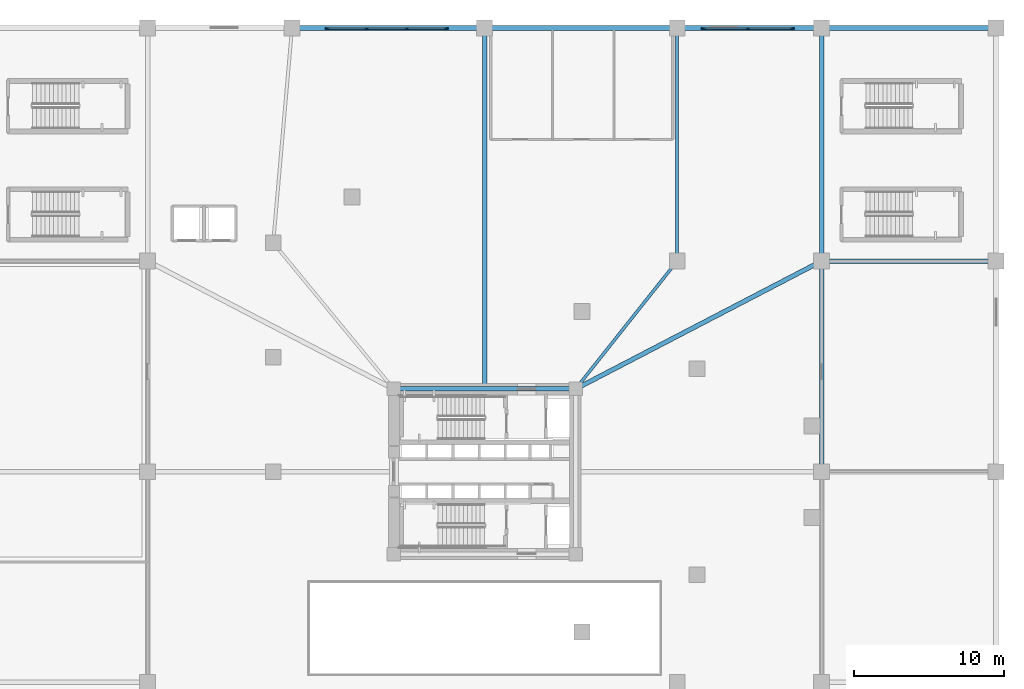
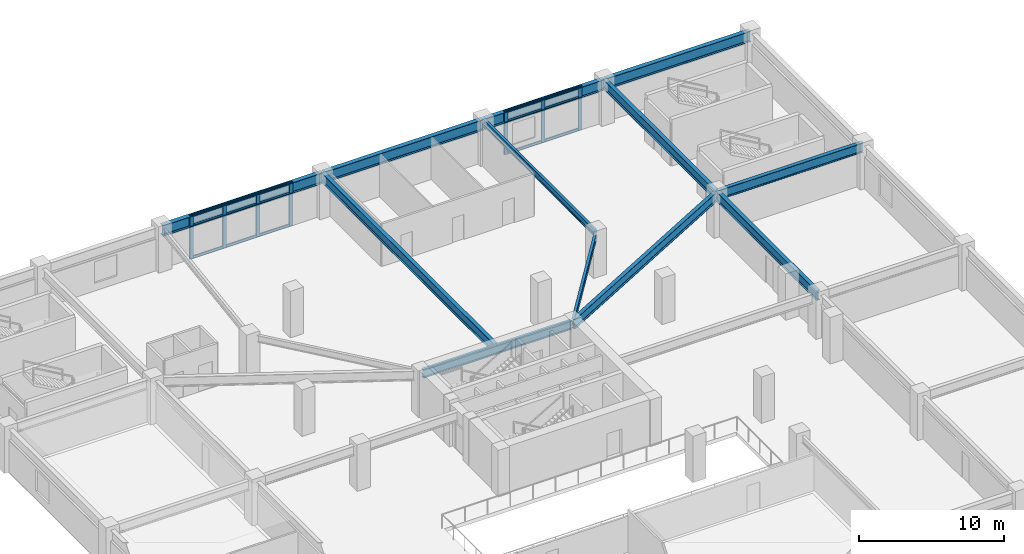
# One storey, part 2 of 16: 22 members, 12 beams, 2 elements without a shape of their own.
"""IFC4 building model written with IfcOpenShell, lengths in metres."""

from ifc_helpers import new_model, si_unit, direction, frame, origin, origin_2d, place, context, subcontext, project, spatial, rectangle, i_section, extrude, source, transform, mapped, material, layer, layer_set, material_profile, profile_set, type_object, element, aggregate, save


model = new_model("IFC4")

# Units and contexts
model_context = context("Model", 3, precision=1e-05, world=origin(), true_north=direction((0.0, 1.0)))
body_context = subcontext(model_context, "Body", "Model", "MODEL_VIEW")
ifc_project = project(units=[si_unit("LENGTHUNIT", "METRE"), si_unit("AREAUNIT", "SQUARE_METRE"), si_unit("VOLUMEUNIT", "CUBIC_METRE"), si_unit("PLANEANGLEUNIT", "RADIAN"), si_unit("MASSUNIT", "GRAM", prefix="KILO")], contexts=[model_context])

# Site, building, storey
site_placement = place(None, origin())
site = spatial("IfcSite", under=ifc_project, at=site_placement, CompositionType="ELEMENT")
building_placement = place(site_placement, origin())
building = spatial("IfcBuilding", under=site, at=building_placement, Name="Yunling Apex Tower", CompositionType="ELEMENT")
storey_placement = place(building_placement, frame((0.0, 0.0, 4.5)))
storey = spatial("IfcBuildingStorey", under=building, at=storey_placement, Name="L02", CompositionType="ELEMENT", Elevation=4.5)

# Beams
ifc_material_1 = material(Name="Steel Q355B", Category="steel")
ifc_material_profile_1 = material_profile(ifc_material_1, i_section(OverallWidth=0.300048828125, OverallDepth=0.699951171875, WebThickness=0.012939453125, FlangeThickness=0.02392578125, FilletRadius=0.02587890625, at=origin_2d()))
ifc_profile_set_1 = profile_set([ifc_material_profile_1], Name="Steel Q355B")
beam_type_1 = type_object("IfcBeamType", Name="BG-PRI-3", PredefinedType="USERDEFINED", material=ifc_profile_set_1)
shared_shape_1 = source(origin(), body_context, "Body", "SweptSolid", [
    extrude(i_section(OverallWidth=0.300048828125, OverallDepth=0.699951171875, WebThickness=0.012939453125, FlangeThickness=0.02392578125, FilletRadius=0.02587890625, at=origin_2d()), origin(), (0.0, 0.0, 1.0), 11.7998046875),
])
beam_1_placement = place(storey_placement, frame((5.89990234375, 5.5, 3.239990234375), z_axis=(-1.0, 0.0, 0.0), x_axis=(0.0, -1.0, 0.0)))
element("IfcBeam", 1, at=beam_1_placement, inside=storey, type_object=beam_type_1, Name="L02 Core Ring Tie Beam 3", ObjectType="GIRDER", PredefinedType="USERDEFINED", context=body_context, shape_type="MappedRepresentation", body=[
    mapped(shared_shape_1, transform((0.0, 0.0, 0.0), scale=1.0)),
])
ifc_material_profile_2 = material_profile(ifc_material_1, i_section(OverallWidth=0.35009765625, OverallDepth=0.89990234375, WebThickness=0.01806640625, FlangeThickness=0.028076171875, FilletRadius=0.02392578125, at=origin_2d()))
ifc_profile_set_2 = profile_set([ifc_material_profile_2], Name="Steel Q355B")
beam_type_2 = type_object("IfcBeamType", Name="BG-PRI-1", PredefinedType="USERDEFINED", material=ifc_profile_set_2)
shared_shape_2 = source(origin(), body_context, "Body", "SweptSolid", [
    extrude(i_section(OverallWidth=0.35009765625, OverallDepth=0.89990234375, WebThickness=0.01806640625, FlangeThickness=0.028076171875, FilletRadius=0.02392578125, at=origin_2d()), origin(), (0.0, 0.0, 1.0), 11.52001953125),
])
beam_2_placement = place(storey_placement, frame((22.43994140625, 29.5, 3.139892578125), z_axis=(1.0, 0.0, 0.0), x_axis=(0.0, 1.0, 0.0)))
element("IfcBeam", 2, at=beam_2_placement, inside=storey, type_object=beam_type_2, Name="L02 Podium Edge Girder 12", ObjectType="GIRDER", PredefinedType="USERDEFINED", context=body_context, shape_type="MappedRepresentation", body=[
    mapped(shared_shape_2, transform((0.0, 0.0, 0.0), scale=1.0)),
])
shared_shape_3 = source(origin(), body_context, "Body", "SweptSolid", [
    extrude(i_section(OverallWidth=0.35009765625, OverallDepth=0.89990234375, WebThickness=0.01806640625, FlangeThickness=0.028076171875, FilletRadius=0.02392578125, at=origin_2d()), origin(), (0.0, 0.0, 1.0), 9.52001953125),
])
beam_3_placement = place(storey_placement, frame((12.840087890625, 29.5, 3.139892578125), z_axis=(1.0, 0.0, 0.0), x_axis=(0.0, 1.0, 0.0)))
element("IfcBeam", 3, at=beam_3_placement, inside=storey, type_object=beam_type_2, Name="L02 Podium Edge Girder 11", ObjectType="GIRDER", PredefinedType="USERDEFINED", context=body_context, shape_type="MappedRepresentation", body=[
    mapped(shared_shape_3, transform((0.0, 0.0, 0.0), scale=1.0)),
])
shared_shape_4 = source(origin(), body_context, "Body", "SweptSolid", [
    extrude(i_section(OverallWidth=0.35009765625, OverallDepth=0.89990234375, WebThickness=0.01806640625, FlangeThickness=0.028076171875, FilletRadius=0.02392578125, at=origin_2d()), origin(), (0.0, 0.0, 1.0), 12.719970703125),
])
for number, where, z_axis, x_axis, name in (
    (4, (-12.760009765625, 29.5, 3.139892578125), (1.0, 0.0, 0.0), (0.0, 1.0, 0.0), "L02 Podium Edge Girder 9"),
    (5, (0.0400390625, 29.5, 3.139892578125), (1.0, 0.0, 0.0), (0.0, 1.0, 0.0), "L02 Podium Edge Girder 10"),
):
    element("IfcBeam", number, at=place(storey_placement, frame(where, z_axis=z_axis, x_axis=x_axis)), inside=storey, type_object=beam_type_2, Name=name, ObjectType="GIRDER", PredefinedType="USERDEFINED", context=body_context, shape_type="MappedRepresentation", body=[
        mapped(shared_shape_4, transform((0.0, 0.0, 0.0), scale=1.0)),
    ])
ifc_material_profile_3 = material_profile(ifc_material_1, i_section(OverallWidth=0.300048828125, OverallDepth=0.800048828125, WebThickness=0.013916015625, FlangeThickness=0.02587890625, FilletRadius=0.028076171875, at=origin_2d()))
ifc_profile_set_3 = profile_set([ifc_material_profile_3], Name="Steel Q355B")
beam_type_3 = type_object("IfcBeamType", Name="BG-PRI-2", PredefinedType="USERDEFINED", material=ifc_profile_set_3)
shared_shape_5 = source(origin(), body_context, "Body", "SweptSolid", [
    extrude(i_section(OverallWidth=0.300048828125, OverallDepth=0.800048828125, WebThickness=0.013916015625, FlangeThickness=0.02587890625, FilletRadius=0.028076171875, at=origin_2d()), origin(), (0.0, 0.0, 1.0), 11.52001953125),
])
beam_4_placement = place(storey_placement, frame((22.43994140625, 14.0, 3.18994140625), z_axis=(1.0, 0.0, 0.0), x_axis=(0.0, 1.0, 0.0)))
element("IfcBeam", 6, at=beam_4_placement, inside=storey, type_object=beam_type_3, Name="L02 Podium Primary Girder 4", ObjectType="GIRDER", PredefinedType="USERDEFINED", context=body_context, shape_type="MappedRepresentation", body=[
    mapped(shared_shape_5, transform((0.0, 0.0, 0.0), scale=1.0)),
])
shared_shape_6 = source(origin(), body_context, "Body", "SweptSolid", [
    extrude(i_section(OverallWidth=0.300048828125, OverallDepth=0.800048828125, WebThickness=0.013916015625, FlangeThickness=0.02587890625, FilletRadius=0.028076171875, at=origin_2d()), origin(), (0.0, 0.0, 1.0), 18.347412109375),
])
beam_5_placement = place(storey_placement, frame((6.08544921875, 5.5185546875, 3.18994140625), z_axis=(0.887266251523, 0.461257627481, 0.0), x_axis=(-0.461257627481, 0.887266251523, 0.0)))
element("IfcBeam", 7, at=beam_5_placement, inside=storey, type_object=beam_type_3, Name="L02 Podium Primary Girder 3", ObjectType="GIRDER", PredefinedType="USERDEFINED", context=body_context, shape_type="MappedRepresentation", body=[
    mapped(shared_shape_6, transform((0.0, 0.0, 0.0), scale=1.0)),
])
shared_shape_7 = source(origin(), body_context, "Body", "SweptSolid", [
    extrude(i_section(OverallWidth=0.300048828125, OverallDepth=0.800048828125, WebThickness=0.013916015625, FlangeThickness=0.02587890625, FilletRadius=0.028076171875, at=origin_2d()), origin(), (0.0, 0.0, 1.0), 15.419921875),
])
beam_6_placement = place(storey_placement, frame((22.39990234375, 29.4599609375, 3.18994140625), z_axis=(0.0, -1.0, 0.0), x_axis=(1.0, 0.0, 0.0)))
element("IfcBeam", 8, at=beam_6_placement, inside=storey, type_object=beam_type_3, Name="L02 Podium Primary Girder 17", ObjectType="GIRDER", PredefinedType="USERDEFINED", context=body_context, shape_type="MappedRepresentation", body=[
    mapped(shared_shape_7, transform((0.0, 0.0, 0.0), scale=1.0)),
])
shared_shape_8 = source(origin(), body_context, "Body", "SweptSolid", [
    extrude(i_section(OverallWidth=0.300048828125, OverallDepth=0.800048828125, WebThickness=0.013916015625, FlangeThickness=0.02587890625, FilletRadius=0.028076171875, at=origin_2d()), origin(), (0.0, 0.0, 1.0), 13.919921875),
])
beam_7_placement = place(storey_placement, frame((22.39990234375, 13.9599609375, 3.18994140625), z_axis=(0.0, -1.0, 0.0), x_axis=(1.0, 0.0, 0.0)))
element("IfcBeam", 9, at=beam_7_placement, inside=storey, type_object=beam_type_3, Name="L02 Podium Primary Girder 18", ObjectType="GIRDER", PredefinedType="USERDEFINED", context=body_context, shape_type="MappedRepresentation", body=[
    mapped(shared_shape_8, transform((0.0, 0.0, 0.0), scale=1.0)),
])
shared_shape_9 = source(origin(), body_context, "Body", "SweptSolid", [
    extrude(i_section(OverallWidth=0.300048828125, OverallDepth=0.800048828125, WebThickness=0.013916015625, FlangeThickness=0.02587890625, FilletRadius=0.028076171875, at=origin_2d()), origin(), (0.0, 0.0, 1.0), 23.869873046875),
])
beam_8_placement = place(storey_placement, frame((0.0, 29.4599609375, 3.18994140625), z_axis=(0.0, -1.0, 0.0), x_axis=(1.0, 0.0, 0.0)))
element("IfcBeam", 10, at=beam_8_placement, inside=storey, type_object=beam_type_3, Name="L02 Podium Primary Girder 21", ObjectType="GIRDER", PredefinedType="USERDEFINED", context=body_context, shape_type="MappedRepresentation", body=[
    mapped(shared_shape_9, transform((0.0, 0.0, 0.0), scale=1.0)),
])
ifc_material_profile_4 = material_profile(ifc_material_1, i_section(OverallWidth=0.199951171875, OverallDepth=0.550048828125, WebThickness=0.010009765625, FlangeThickness=0.01611328125, FilletRadius=0.02001953125, at=origin_2d()))
ifc_profile_set_4 = profile_set([ifc_material_profile_4], Name="Steel Q355B")
beam_type_4 = type_object("IfcBeamType", Name="BS-SEC-1", PredefinedType="BEAM", material=ifc_profile_set_4)
shared_shape_10 = source(origin(), body_context, "Body", "SweptSolid", [
    extrude(i_section(OverallWidth=0.199951171875, OverallDepth=0.550048828125, WebThickness=0.010009765625, FlangeThickness=0.01611328125, FilletRadius=0.02001953125, at=origin_2d()), origin(), (0.0, 0.0, 1.0), 15.419921875),
])
beam_9_placement = place(storey_placement, frame((12.800048828125, 29.4599609375, 3.31494140625), z_axis=(0.0, -1.0, 0.0), x_axis=(1.0, 0.0, 0.0)))
element("IfcBeam", 11, at=beam_9_placement, inside=storey, type_object=beam_type_4, Name="L02 Podium Secondary Beam 3", PredefinedType="BEAM", context=body_context, shape_type="MappedRepresentation", body=[
    mapped(shared_shape_10, transform((0.0, 0.0, 0.0), scale=1.0)),
])
shared_shape_11 = source(origin(), body_context, "Body", "SweptSolid", [
    extrude(i_section(OverallWidth=0.199951171875, OverallDepth=0.550048828125, WebThickness=0.010009765625, FlangeThickness=0.01611328125, FilletRadius=0.02001953125, at=origin_2d()), origin(), (0.0, 0.0, 1.0), 10.774169921875),
])
beam_10_placement = place(storey_placement, frame((12.775146484375, 13.96875, 3.31494140625), z_axis=(-0.621872334374, -0.783118637078, 0.0), x_axis=(0.783118637078, -0.621872334374, 0.0)))
element("IfcBeam", 12, at=beam_10_placement, inside=storey, type_object=beam_type_4, Name="L02 Podium Secondary Beam 4", PredefinedType="BEAM", context=body_context, shape_type="MappedRepresentation", body=[
    mapped(shared_shape_11, transform((0.0, 0.0, 0.0), scale=1.0)),
])

# Curtain wall, members
ifc_material_2 = material(Name="Bronze anodised aluminium", Category="aluminium")
ifc_layer = layer(ifc_material_2, 0.280029296875)
ifc_layer_set = layer_set([ifc_layer], Name="Bronze anodised aluminium")
curtain_wall_type = type_object("IfcCurtainWallType", Name="CW-SYS-1", PredefinedType="NOTDEFINED", material=ifc_layer_set)
curtain_wall_1_placement = place(storey_placement, origin())
curtain_wall_1 = element("IfcCurtainWall", 13, at=curtain_wall_1_placement, inside=storey, type_object=curtain_wall_type, Name="CW-POD-L02-1", PredefinedType="NOTDEFINED")
ifc_material_profile_5 = material_profile(ifc_material_2, rectangle(XDim=0.090087890625, YDim=0.215087890625, at=origin_2d()))
ifc_profile_set_5 = profile_set([ifc_material_profile_5], Name="Bronze anodised aluminium")
member_type_1 = type_object("IfcMemberType", Name="CW-TRN-1", PredefinedType="USERDEFINED", material=ifc_profile_set_5)
shared_shape_12 = source(origin(), body_context, "Body", "SweptSolid", [
    extrude(rectangle(XDim=0.090087890625, YDim=0.215087890625, at=origin_2d()), origin(), (0.0, 0.0, 1.0), 2.540771484375),
])
member_1_placement = place(storey_placement, frame((-10.41455078125, 29.449951171875, 0.044921875), z_axis=(1.0, 0.0, 0.0), x_axis=(0.0, 1.0, 0.0)))
member_1 = element("IfcMember", 14, at=member_1_placement, type_object=member_type_1, Name="CW-SYS-1 transom 1.1", ObjectType="TRANSOM", PredefinedType="USERDEFINED", context=body_context, shape_type="MappedRepresentation", body=[
    mapped(shared_shape_12, transform((0.0, 0.0, 0.0), scale=1.0)),
])
member_2_placement = place(storey_placement, frame((-10.41455078125, 29.449951171875, 2.739990234375), z_axis=(1.0, 0.0, 0.0), x_axis=(0.0, 1.0, 0.0)))
member_2 = element("IfcMember", 15, at=member_2_placement, type_object=member_type_1, Name="CW-SYS-1 transom 1.2", ObjectType="TRANSOM", PredefinedType="USERDEFINED", context=body_context, shape_type="MappedRepresentation", body=[
    mapped(shared_shape_12, transform((0.0, 0.0, 0.0), scale=1.0)),
])
member_3_placement = place(storey_placement, frame((-10.41455078125, 29.449951171875, 3.544921875), z_axis=(1.0, 0.0, 0.0), x_axis=(0.0, 1.0, 0.0)))
member_3 = element("IfcMember", 16, at=member_3_placement, type_object=member_type_1, Name="CW-SYS-1 transom 1.3", ObjectType="TRANSOM", PredefinedType="USERDEFINED", context=body_context, shape_type="MappedRepresentation", body=[
    mapped(shared_shape_12, transform((0.0, 0.0, 0.0), scale=1.0)),
])
member_4_placement = place(storey_placement, frame((-5.126220703125, 29.449951171875, 0.044921875), z_axis=(1.0, 0.0, 0.0), x_axis=(0.0, 1.0, 0.0)))
member_4 = element("IfcMember", 17, at=member_4_placement, type_object=member_type_1, Name="CW-SYS-1 transom 3.1", ObjectType="TRANSOM", PredefinedType="USERDEFINED", context=body_context, shape_type="MappedRepresentation", body=[
    mapped(shared_shape_12, transform((0.0, 0.0, 0.0), scale=1.0)),
])
member_5_placement = place(storey_placement, frame((-5.126220703125, 29.449951171875, 2.739990234375), z_axis=(1.0, 0.0, 0.0), x_axis=(0.0, 1.0, 0.0)))
member_5 = element("IfcMember", 18, at=member_5_placement, type_object=member_type_1, Name="CW-SYS-1 transom 3.2", ObjectType="TRANSOM", PredefinedType="USERDEFINED", context=body_context, shape_type="MappedRepresentation", body=[
    mapped(shared_shape_12, transform((0.0, 0.0, 0.0), scale=1.0)),
])
member_6_placement = place(storey_placement, frame((-5.126220703125, 29.449951171875, 3.544921875), z_axis=(1.0, 0.0, 0.0), x_axis=(0.0, 1.0, 0.0)))
member_6 = element("IfcMember", 19, at=member_6_placement, type_object=member_type_1, Name="CW-SYS-1 transom 3.3", ObjectType="TRANSOM", PredefinedType="USERDEFINED", context=body_context, shape_type="MappedRepresentation", body=[
    mapped(shared_shape_12, transform((0.0, 0.0, 0.0), scale=1.0)),
])
shared_shape_13 = source(origin(), body_context, "Body", "SweptSolid", [
    extrude(rectangle(XDim=0.090087890625, YDim=0.215087890625, at=origin_2d()), origin(), (0.0, 0.0, 1.0), 2.58544921875),
])
member_7_placement = place(storey_placement, frame((-7.792724609375, 29.449951171875, 0.044921875), z_axis=(1.0, 0.0, 0.0), x_axis=(0.0, 1.0, 0.0)))
member_7 = element("IfcMember", 20, at=member_7_placement, type_object=member_type_1, Name="CW-SYS-1 transom 2.1", ObjectType="TRANSOM", PredefinedType="USERDEFINED", context=body_context, shape_type="MappedRepresentation", body=[
    mapped(shared_shape_13, transform((0.0, 0.0, 0.0), scale=1.0)),
])
member_8_placement = place(storey_placement, frame((-7.792724609375, 29.449951171875, 2.739990234375), z_axis=(1.0, 0.0, 0.0), x_axis=(0.0, 1.0, 0.0)))
member_8 = element("IfcMember", 21, at=member_8_placement, type_object=member_type_1, Name="CW-SYS-1 transom 2.2", ObjectType="TRANSOM", PredefinedType="USERDEFINED", context=body_context, shape_type="MappedRepresentation", body=[
    mapped(shared_shape_13, transform((0.0, 0.0, 0.0), scale=1.0)),
])
member_9_placement = place(storey_placement, frame((-7.792724609375, 29.449951171875, 3.544921875), z_axis=(1.0, 0.0, 0.0), x_axis=(0.0, 1.0, 0.0)))
member_9 = element("IfcMember", 22, at=member_9_placement, type_object=member_type_1, Name="CW-SYS-1 transom 2.3", ObjectType="TRANSOM", PredefinedType="USERDEFINED", context=body_context, shape_type="MappedRepresentation", body=[
    mapped(shared_shape_13, transform((0.0, 0.0, 0.0), scale=1.0)),
])

curtain_wall_2_placement = place(storey_placement, origin())
curtain_wall_2 = element("IfcCurtainWall", 23, at=curtain_wall_2_placement, inside=storey, type_object=curtain_wall_type, Name="CW-POD-L02-2", PredefinedType="NOTDEFINED")
shared_shape_14 = source(origin(), body_context, "Body", "SweptSolid", [
    extrude(rectangle(XDim=0.090087890625, YDim=0.215087890625, at=origin_2d()), origin(), (0.0, 0.0, 1.0), 2.8740234375),
])
member_10_placement = place(storey_placement, frame((14.58544921875, 29.449951171875, 0.044921875), z_axis=(1.0, 0.0, 0.0), x_axis=(0.0, 1.0, 0.0)))
member_10 = element("IfcMember", 24, at=member_10_placement, type_object=member_type_1, Name="CW-SYS-1 transom 1.1", ObjectType="TRANSOM", PredefinedType="USERDEFINED", context=body_context, shape_type="MappedRepresentation", body=[
    mapped(shared_shape_14, transform((0.0, 0.0, 0.0), scale=1.0)),
])
member_11_placement = place(storey_placement, frame((14.58544921875, 29.449951171875, 2.739990234375), z_axis=(1.0, 0.0, 0.0), x_axis=(0.0, 1.0, 0.0)))
member_11 = element("IfcMember", 25, at=member_11_placement, type_object=member_type_1, Name="CW-SYS-1 transom 1.2", ObjectType="TRANSOM", PredefinedType="USERDEFINED", context=body_context, shape_type="MappedRepresentation", body=[
    mapped(shared_shape_14, transform((0.0, 0.0, 0.0), scale=1.0)),
])
member_12_placement = place(storey_placement, frame((14.58544921875, 29.449951171875, 3.544921875), z_axis=(1.0, 0.0, 0.0), x_axis=(0.0, 1.0, 0.0)))
member_12 = element("IfcMember", 26, at=member_12_placement, type_object=member_type_1, Name="CW-SYS-1 transom 1.3", ObjectType="TRANSOM", PredefinedType="USERDEFINED", context=body_context, shape_type="MappedRepresentation", body=[
    mapped(shared_shape_14, transform((0.0, 0.0, 0.0), scale=1.0)),
])
member_13_placement = place(storey_placement, frame((17.54052734375, 29.449951171875, 0.044921875), z_axis=(1.0, 0.0, 0.0), x_axis=(0.0, 1.0, 0.0)))
member_13 = element("IfcMember", 27, at=member_13_placement, type_object=member_type_1, Name="CW-SYS-1 transom 2.1", ObjectType="TRANSOM", PredefinedType="USERDEFINED", context=body_context, shape_type="MappedRepresentation", body=[
    mapped(shared_shape_14, transform((0.0, 0.0, 0.0), scale=1.0)),
])
member_14_placement = place(storey_placement, frame((17.54052734375, 29.449951171875, 2.739990234375), z_axis=(1.0, 0.0, 0.0), x_axis=(0.0, 1.0, 0.0)))
member_14 = element("IfcMember", 28, at=member_14_placement, type_object=member_type_1, Name="CW-SYS-1 transom 2.2", ObjectType="TRANSOM", PredefinedType="USERDEFINED", context=body_context, shape_type="MappedRepresentation", body=[
    mapped(shared_shape_14, transform((0.0, 0.0, 0.0), scale=1.0)),
])
member_15_placement = place(storey_placement, frame((17.54052734375, 29.449951171875, 3.544921875), z_axis=(1.0, 0.0, 0.0), x_axis=(0.0, 1.0, 0.0)))
member_15 = element("IfcMember", 29, at=member_15_placement, type_object=member_type_1, Name="CW-SYS-1 transom 2.3", ObjectType="TRANSOM", PredefinedType="USERDEFINED", context=body_context, shape_type="MappedRepresentation", body=[
    mapped(shared_shape_14, transform((0.0, 0.0, 0.0), scale=1.0)),
])

# Member
ifc_material_profile_6 = material_profile(ifc_material_2, rectangle(XDim=0.090087890625, YDim=0.280029296875, at=origin_2d()))
ifc_profile_set_6 = profile_set([ifc_material_profile_6], Name="Bronze anodised aluminium")
member_type_2 = type_object("IfcMemberType", Name="CW-MUL-1", PredefinedType="MULLION", material=ifc_profile_set_6)
shared_shape_15 = source(origin(), body_context, "Body", "SweptSolid", [
    extrude(rectangle(XDim=0.090087890625, YDim=0.280029296875, at=origin_2d()), origin(), (0.0, 0.0, 1.0), 3.68994140625),
])
member_16_placement = place(storey_placement, frame((-10.455078125, 29.449951171875, -0.050048828125), z_axis=(0.0, 0.0, 1.0), x_axis=(0.0, 1.0, 0.0)))
member_16 = element("IfcMember", 30, at=member_16_placement, type_object=member_type_2, Name="CW-SYS-1 mullion 1", PredefinedType="MULLION", context=body_context, shape_type="MappedRepresentation", body=[
    mapped(shared_shape_15, transform((0.0, 0.0, 0.0), scale=1.0)),
])

member_17_placement = place(storey_placement, frame((-7.833251953125, 29.449951171875, -0.050048828125), z_axis=(0.0, 0.0, 1.0), x_axis=(0.0, 1.0, 0.0)))
member_17 = element("IfcMember", 31, at=member_17_placement, type_object=member_type_2, Name="CW-SYS-1 mullion 2", PredefinedType="MULLION", context=body_context, shape_type="MappedRepresentation", body=[
    mapped(shared_shape_15, transform((0.0, 0.0, 0.0), scale=1.0)),
])

member_18_placement = place(storey_placement, frame((-5.166748046875, 29.449951171875, -0.050048828125), z_axis=(0.0, 0.0, 1.0), x_axis=(0.0, 1.0, 0.0)))
member_18 = element("IfcMember", 32, at=member_18_placement, type_object=member_type_2, Name="CW-SYS-1 mullion 3", PredefinedType="MULLION", context=body_context, shape_type="MappedRepresentation", body=[
    mapped(shared_shape_15, transform((0.0, 0.0, 0.0), scale=1.0)),
])

member_19_placement = place(storey_placement, frame((-2.544921875, 29.449951171875, -0.050048828125), z_axis=(0.0, 0.0, 1.0), x_axis=(0.0, 1.0, 0.0)))
member_19 = element("IfcMember", 33, at=member_19_placement, type_object=member_type_2, Name="CW-SYS-1 mullion 4", PredefinedType="MULLION", context=body_context, shape_type="MappedRepresentation", body=[
    mapped(shared_shape_15, transform((0.0, 0.0, 0.0), scale=1.0)),
])

aggregate(curtain_wall_1, [member_16, member_17, member_18, member_19, member_1, member_2, member_3, member_7, member_8, member_9, member_4, member_5, member_6])

member_20_placement = place(storey_placement, frame((14.544921875, 29.449951171875, -0.050048828125), z_axis=(0.0, 0.0, 1.0), x_axis=(0.0, 1.0, 0.0)))
member_20 = element("IfcMember", 34, at=member_20_placement, type_object=member_type_2, Name="CW-SYS-1 mullion 1", PredefinedType="MULLION", context=body_context, shape_type="MappedRepresentation", body=[
    mapped(shared_shape_15, transform((0.0, 0.0, 0.0), scale=1.0)),
])

member_21_placement = place(storey_placement, frame((17.5, 29.449951171875, -0.050048828125), z_axis=(0.0, 0.0, 1.0), x_axis=(0.0, 1.0, 0.0)))
member_21 = element("IfcMember", 35, at=member_21_placement, type_object=member_type_2, Name="CW-SYS-1 mullion 2", PredefinedType="MULLION", context=body_context, shape_type="MappedRepresentation", body=[
    mapped(shared_shape_15, transform((0.0, 0.0, 0.0), scale=1.0)),
])

member_22_placement = place(storey_placement, frame((20.455078125, 29.449951171875, -0.050048828125), z_axis=(0.0, 0.0, 1.0), x_axis=(0.0, 1.0, 0.0)))
member_22 = element("IfcMember", 36, at=member_22_placement, type_object=member_type_2, Name="CW-SYS-1 mullion 3", PredefinedType="MULLION", context=body_context, shape_type="MappedRepresentation", body=[
    mapped(shared_shape_15, transform((0.0, 0.0, 0.0), scale=1.0)),
])

aggregate(curtain_wall_2, [member_20, member_21, member_22, member_10, member_11, member_12, member_13, member_14, member_15])

save(model, "model.ifc")
